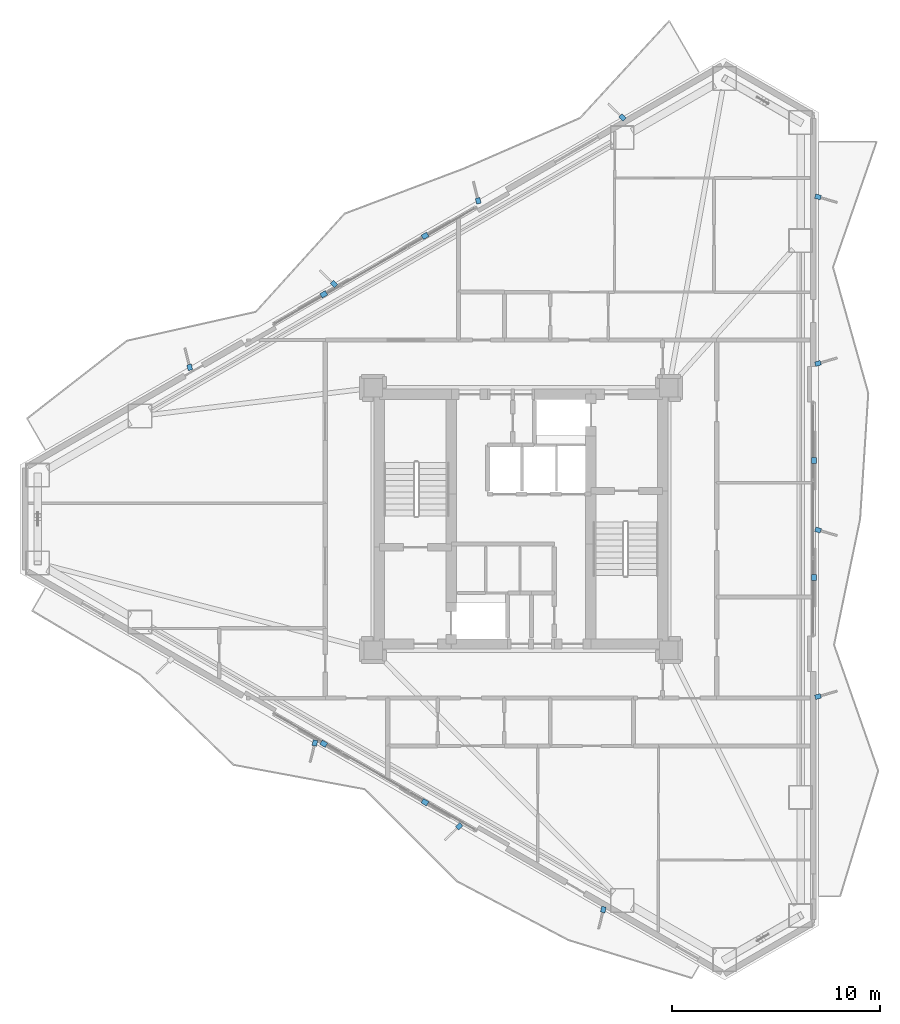
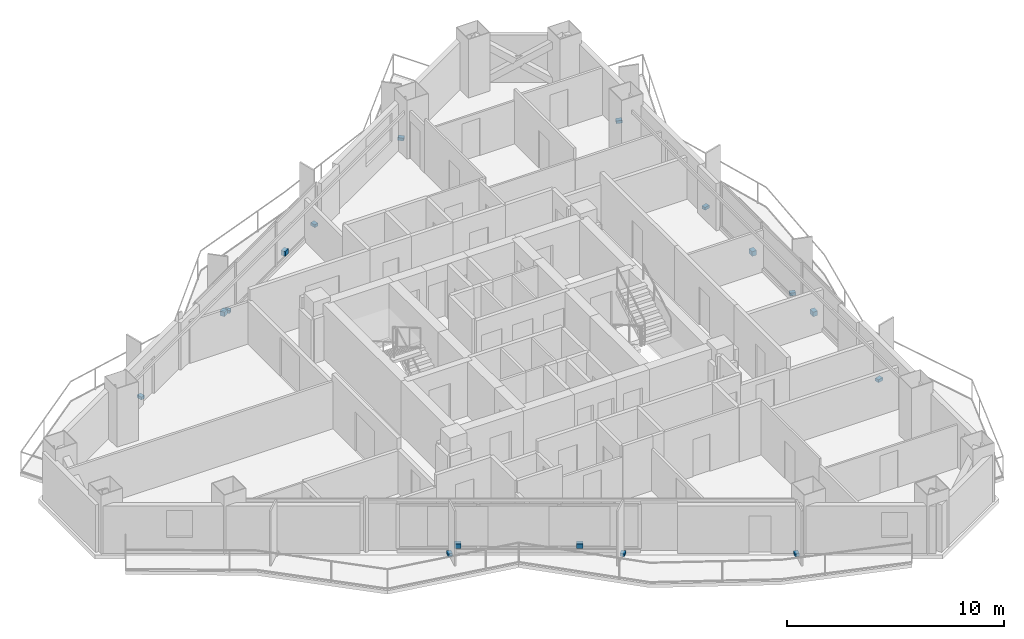
# One storey, part 20 of 22: 17 discrete accessories.
"""IFC4 building model written with IfcOpenShell, lengths in metres."""

from ifc_helpers import new_model, si_unit, direction, frame, origin, origin_2d, place, context, subcontext, project, spatial, rectangle, extrude, material, layer, layer_set, type_object, element, save


model = new_model("IFC4")

# Units and contexts
model_context = context("Model", 3, precision=1e-05, world=origin(), true_north=direction((0.0, 1.0)))
body_context = subcontext(model_context, "Body", "Model", "MODEL_VIEW")
ifc_project = project(units=[si_unit("LENGTHUNIT", "METRE"), si_unit("AREAUNIT", "SQUARE_METRE"), si_unit("VOLUMEUNIT", "CUBIC_METRE"), si_unit("PLANEANGLEUNIT", "RADIAN"), si_unit("MASSUNIT", "GRAM", prefix="KILO")], contexts=[model_context])

# Site, building, storey
site_placement = place(None, origin())
site = spatial("IfcSite", under=ifc_project, at=site_placement, CompositionType="ELEMENT")
building_placement = place(site_placement, origin())
building = spatial("IfcBuilding", under=site, at=building_placement, Name="Mersakhor Tower and Convention Hall", CompositionType="ELEMENT")
storey_placement = place(building_placement, frame((0.0, 0.0, 90.0)))
storey = spatial("IfcBuildingStorey", under=building, at=storey_placement, Name="L24", CompositionType="ELEMENT", Elevation=90.0)

# Discrete accessories
ifc_material = material(Name="Galvanised steel bracket", Category="steel")
ifc_layer = layer(ifc_material, 0.02001953125)
ifc_layer_set = layer_set([ifc_layer], Name="Galvanised steel bracket")
discrete_accessory_type = type_object("IfcDiscreteAccessoryType", Name="ACC-BRK-STL", PredefinedType="BRACKET", material=ifc_layer_set)
for number, where, z_axis, x_axis, name in (
    (1, (19.5263671875, 37.5439453125, 0.2900390625), (0.0, 0.0, 1.0), (0.866025403784, 0.5, 0.0), "L24 Solar Screen Outrigger Bracket BRK-1-1"),
    (2, (24.388916015625, 40.351318359375, 0.2900390625), (0.0, 0.0, 1.0), (0.866025403784, 0.5, 0.0), "L24 Solar Screen Outrigger Bracket BRK-1-2"),
):
    element("IfcDiscreteAccessory", number, at=place(storey_placement, frame(where, z_axis=z_axis, x_axis=x_axis)), inside=storey, type_object=discrete_accessory_type, Name=name, PredefinedType="BRACKET", context=body_context, shape_type="SweptSolid", body=[
        extrude(rectangle(XDim=0.300048828125, YDim=0.239990234375, at=origin_2d()), origin(), (0.0, 0.0, 1.0), 0.260009765625),
    ])
for number, where, z_axis, x_axis, name in (
    (3, (13.08740234375, 34.0341796875, -0.02001953125), (0.0, 0.0, 1.0), (-0.2419218956, 0.970295726276, 0.0), "L24 Facade Fin Base Cleat Bracket FBRK-1-1"),
    (4, (20.015380859375, 38.0341796875, -0.02001953125), (0.0, 0.0, 1.0), (-0.719339800339, 0.694658370459, 0.0), "L24 Facade Fin Base Cleat Bracket FBRK-1-2"),
    (5, (26.943603515625, 42.0341796875, -0.02001953125), (0.0, 0.0, 1.0), (-0.2419218956, 0.970295726276, 0.0), "L24 Facade Fin Base Cleat Bracket FBRK-1-3"),
    (6, (33.871826171875, 46.0341796875, -0.02001953125), (0.0, 0.0, 1.0), (-0.719339800339, 0.694658370459, 0.0), "L24 Facade Fin Base Cleat Bracket FBRK-1-4"),
):
    element("IfcDiscreteAccessory", number, at=place(storey_placement, frame(where, z_axis=z_axis, x_axis=x_axis)), inside=storey, type_object=discrete_accessory_type, Name=name, PredefinedType="BRACKET", context=body_context, shape_type="SweptSolid", body=[
        extrude(rectangle(XDim=0.280029296875, YDim=0.219970703125, at=origin_2d()), origin(), (0.0, 0.0, 1.0), 0.159912109375),
    ])
for number, where, z_axis, x_axis, name in (
    (7, (43.084716796875, 29.557373046875, 0.2900390625), (0.0, 0.0, 1.0), (0.0, -1.0, 0.0), "L24 Solar Screen Outrigger Bracket BRK-2-1"),
    (8, (43.084716796875, 23.942626953125, 0.2900390625), (0.0, 0.0, 1.0), (0.0, -1.0, 0.0), "L24 Solar Screen Outrigger Bracket BRK-2-2"),
):
    element("IfcDiscreteAccessory", number, at=place(storey_placement, frame(where, z_axis=z_axis, x_axis=x_axis)), inside=storey, type_object=discrete_accessory_type, Name=name, PredefinedType="BRACKET", context=body_context, shape_type="SweptSolid", body=[
        extrude(rectangle(XDim=0.300048828125, YDim=0.239990234375, at=origin_2d()), origin(), (0.0, 0.0, 1.0), 0.260009765625),
    ])
for number, where, z_axis, x_axis, name in (
    (9, (43.2646484375, 42.221923828125, -0.02001953125), (0.0, 0.0, 1.0), (0.961261695938, -0.275637355817, 0.0), "L24 Facade Fin Base Cleat Bracket FBRK-2-1"),
    (10, (43.2646484375, 34.221923828125, -0.02001953125), (0.0, 0.0, 1.0), (0.961261695938, 0.275637355817, 0.0), "L24 Facade Fin Base Cleat Bracket FBRK-2-2"),
    (11, (43.2646484375, 26.221923828125, -0.02001953125), (0.0, 0.0, 1.0), (0.961261695938, -0.275637355817, 0.0), "L24 Facade Fin Base Cleat Bracket FBRK-2-3"),
    (12, (43.2646484375, 18.221923828125, -0.02001953125), (0.0, 0.0, 1.0), (0.961261695938, 0.275637355817, 0.0), "L24 Facade Fin Base Cleat Bracket FBRK-2-4"),
):
    element("IfcDiscreteAccessory", number, at=place(storey_placement, frame(where, z_axis=z_axis, x_axis=x_axis)), inside=storey, type_object=discrete_accessory_type, Name=name, PredefinedType="BRACKET", context=body_context, shape_type="SweptSolid", body=[
        extrude(rectangle(XDim=0.280029296875, YDim=0.219970703125, at=origin_2d()), origin(), (0.0, 0.0, 1.0), 0.159912109375),
    ])
for number, where, z_axis, x_axis, name in (
    (13, (24.388916015625, 13.148681640625, 0.2900390625), (0.0, 0.0, 1.0), (-0.866025403784, 0.5, 0.0), "L24 Solar Screen Outrigger Bracket BRK-3-1"),
    (14, (19.526611328125, 15.9560546875, 0.2900390625), (0.0, 0.0, 1.0), (-0.866025403784, 0.5, 0.0), "L24 Solar Screen Outrigger Bracket BRK-3-2"),
):
    element("IfcDiscreteAccessory", number, at=place(storey_placement, frame(where, z_axis=z_axis, x_axis=x_axis)), inside=storey, type_object=discrete_accessory_type, Name=name, PredefinedType="BRACKET", context=body_context, shape_type="SweptSolid", body=[
        extrude(rectangle(XDim=0.300048828125, YDim=0.239990234375, at=origin_2d()), origin(), (0.0, 0.0, 1.0), 0.260009765625),
    ])
for number, where, z_axis, x_axis, name in (
    (15, (32.95751953125, 7.993896484375, -0.02001953125), (0.0, 0.0, 1.0), (-0.2419218956, -0.970295726276, 0.0), "L24 Facade Fin Base Cleat Bracket FBRK-3-1"),
    (16, (26.029296875, 11.993896484375, -0.02001953125), (0.0, 0.0, 1.0), (-0.719339800339, -0.694658370459, 0.0), "L24 Facade Fin Base Cleat Bracket FBRK-3-2"),
    (17, (19.10107421875, 15.993896484375, -0.02001953125), (0.0, 0.0, 1.0), (-0.2419218956, -0.970295726276, 0.0), "L24 Facade Fin Base Cleat Bracket FBRK-3-3"),
):
    element("IfcDiscreteAccessory", number, at=place(storey_placement, frame(where, z_axis=z_axis, x_axis=x_axis)), inside=storey, type_object=discrete_accessory_type, Name=name, PredefinedType="BRACKET", context=body_context, shape_type="SweptSolid", body=[
        extrude(rectangle(XDim=0.280029296875, YDim=0.219970703125, at=origin_2d()), origin(), (0.0, 0.0, 1.0), 0.159912109375),
    ])

save(model, "model.ifc")
